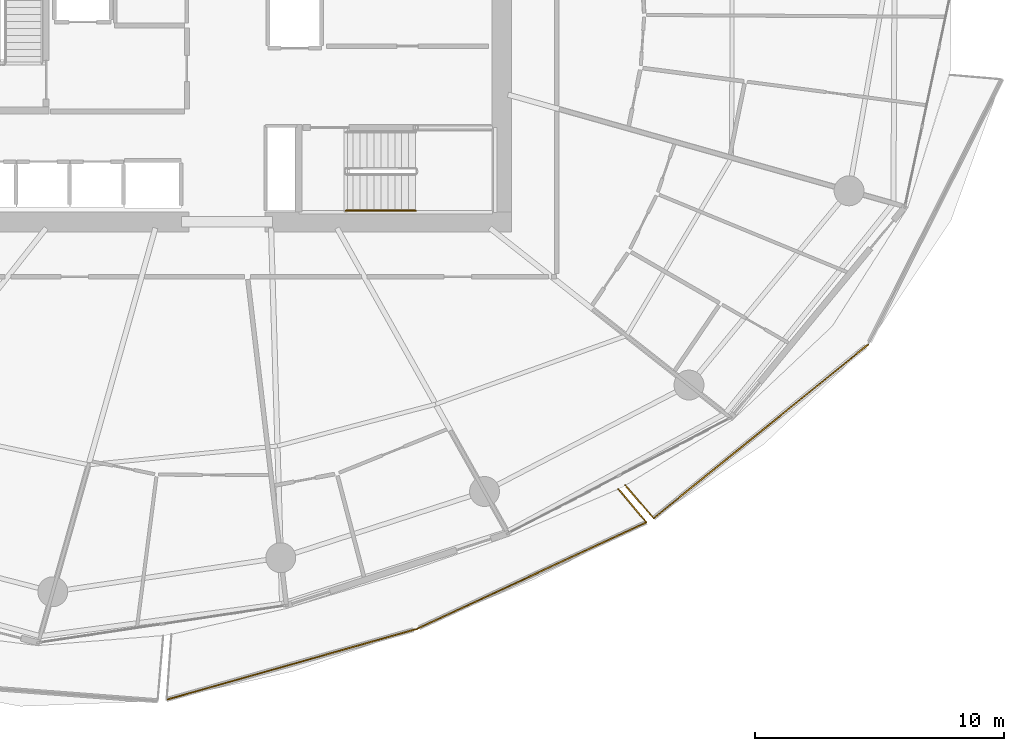
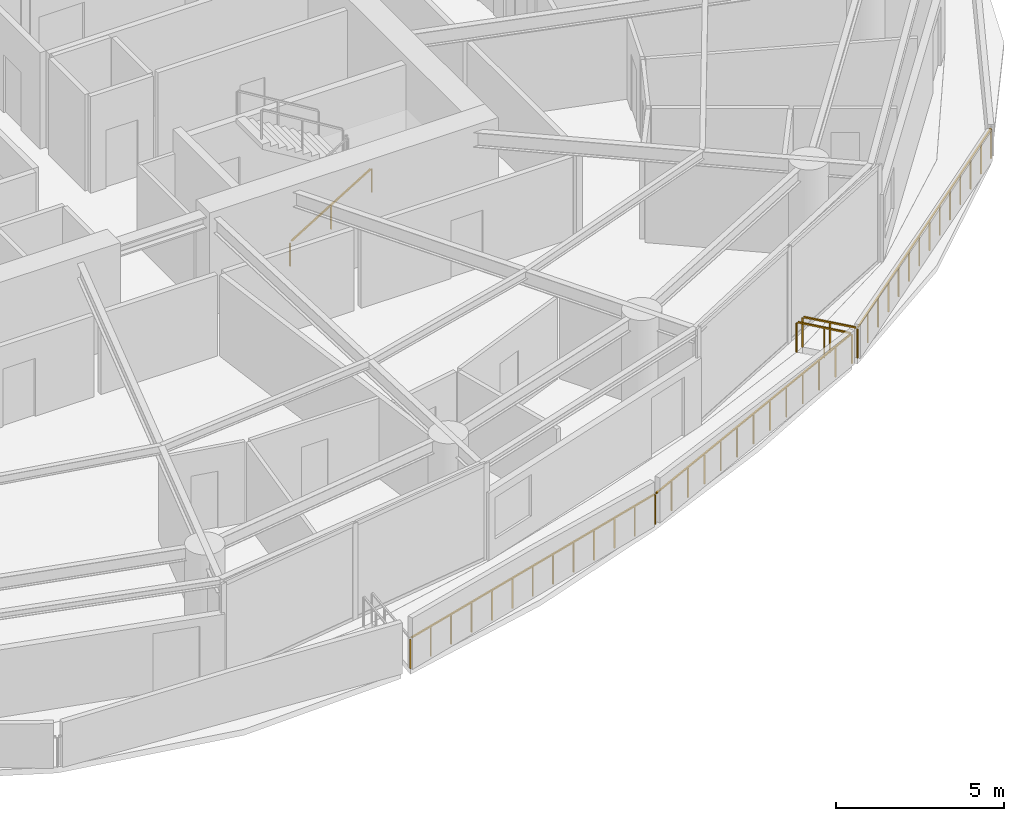
# One storey, part 19 of 23: 6 railings.
"""IFC4 building model written with IfcOpenShell, lengths in metres."""

from ifc_helpers import new_model, si_unit, direction, frame, origin, origin_2d, place, context, subcontext, project, spatial, rectangle, extrude, material, type_object, element, save


model = new_model("IFC4")

# Units and contexts
model_context = context("Model", 3, precision=1e-05, world=origin(), true_north=direction((0.0, 1.0)))
body_context = subcontext(model_context, "Body", "Model", "MODEL_VIEW")
ifc_project = project(units=[si_unit("LENGTHUNIT", "METRE"), si_unit("AREAUNIT", "SQUARE_METRE"), si_unit("VOLUMEUNIT", "CUBIC_METRE"), si_unit("PLANEANGLEUNIT", "RADIAN"), si_unit("MASSUNIT", "GRAM", prefix="KILO")], contexts=[model_context])

# Site, building, storey
site_placement = place(None, origin())
site = spatial("IfcSite", under=ifc_project, at=site_placement, CompositionType="ELEMENT")
building_placement = place(site_placement, origin())
building = spatial("IfcBuilding", under=site, at=building_placement, Name="Kazma Halo Residences", CompositionType="ELEMENT")
storey_placement = place(building_placement, frame((0.0, 0.0, 78.89990234375)))
storey = spatial("IfcBuildingStorey", under=building, at=storey_placement, Name="L19", CompositionType="ELEMENT", Elevation=78.89990234375)

# Railings
ifc_material_1 = material(Name="Aluminium AW-6063 T6 Brushed Cap Rail", Category="aluminium")
railing_type_1 = type_object("IfcRailingType", Name="RLG-BAL-CAP-1120", PredefinedType="BALUSTRADE", material=ifc_material_1)
railing_1_placement = place(storey_placement, frame((46.0, 14.43603515625, 0.0)))
element("IfcRailing", 1, at=railing_1_placement, inside=storey, type_object=railing_type_1, Name="L19 SSE wave balcony guard 2", PredefinedType="BALUSTRADE", context=body_context, shape_type="SweptSolid", body=[
    extrude(rectangle(XDim=0.050048828125, YDim=0.050048828125, at=origin_2d()), frame((0.041015625, 0.011474609375, 1.09521484375), z_axis=(0.962328182125, 0.271890547625, 0.0), x_axis=(-0.271890547625, 0.962328182125, 0.0)), (0.0, 0.0, 1.0), 10.3427734375),
    extrude(rectangle(XDim=0.0400390625, YDim=0.0400390625, at=origin_2d()), origin(), (0.0, 0.0, 1.0), 1.05810546875),
    extrude(rectangle(XDim=0.0400390625, YDim=0.0400390625, at=origin_2d()), frame((0.836181640625, 0.236328125, 0.0)), (0.0, 0.0, 1.0), 1.05810546875),
    extrude(rectangle(XDim=0.0400390625, YDim=0.0400390625, at=origin_2d()), frame((1.67236328125, 0.47265625, 0.0)), (0.0, 0.0, 1.0), 1.05810546875),
    extrude(rectangle(XDim=0.0400390625, YDim=0.0400390625, at=origin_2d()), frame((2.5087890625, 0.708740234375, 0.0)), (0.0, 0.0, 1.0), 1.05810546875),
    extrude(rectangle(XDim=0.0400390625, YDim=0.0400390625, at=origin_2d()), frame((3.344970703125, 0.945068359375, 0.0)), (0.0, 0.0, 1.0), 1.05810546875),
    extrude(rectangle(XDim=0.0400390625, YDim=0.0400390625, at=origin_2d()), frame((4.18115234375, 1.181396484375, 0.0)), (0.0, 0.0, 1.0), 1.05810546875),
    extrude(rectangle(XDim=0.0400390625, YDim=0.0400390625, at=origin_2d()), frame((5.017578125, 1.41748046875, 0.0)), (0.0, 0.0, 1.0), 1.05810546875),
    extrude(rectangle(XDim=0.0400390625, YDim=0.0400390625, at=origin_2d()), frame((5.853759765625, 1.65380859375, 0.0)), (0.0, 0.0, 1.0), 1.05810546875),
    extrude(rectangle(XDim=0.0400390625, YDim=0.0400390625, at=origin_2d()), frame((6.68994140625, 1.89013671875, 0.0)), (0.0, 0.0, 1.0), 1.05810546875),
    extrude(rectangle(XDim=0.0400390625, YDim=0.0400390625, at=origin_2d()), frame((7.526123046875, 2.12646484375, 0.0)), (0.0, 0.0, 1.0), 1.05810546875),
    extrude(rectangle(XDim=0.0400390625, YDim=0.0400390625, at=origin_2d()), frame((8.3623046875, 2.36279296875, 0.0)), (0.0, 0.0, 1.0), 1.05810546875),
    extrude(rectangle(XDim=0.0400390625, YDim=0.0400390625, at=origin_2d()), frame((9.19873046875, 2.598876953125, 0.0)), (0.0, 0.0, 1.0), 1.05810546875),
    extrude(rectangle(XDim=0.0400390625, YDim=0.0400390625, at=origin_2d()), frame((10.034912109375, 2.835205078125, 0.0)), (0.0, 0.0, 1.0), 1.05810546875),
])
railing_2_placement = place(storey_placement, frame((56.034912109375, 17.271240234375, 0.0)))
element("IfcRailing", 2, at=railing_2_placement, inside=storey, type_object=railing_type_1, Name="L19 SSE wave balcony guard 3", PredefinedType="BALUSTRADE", context=body_context, shape_type="SweptSolid", body=[
    extrude(rectangle(XDim=0.050048828125, YDim=0.050048828125, at=origin_2d()), frame((0.03857421875, 0.017822265625, 1.09521484375), z_axis=(0.907061401256, 0.420998354334, 0.0), x_axis=(-0.420998354334, 0.907061401256, 0.0)), (0.0, 0.0, 1.0), 10.076171875),
    extrude(rectangle(XDim=0.0400390625, YDim=0.0400390625, at=origin_2d()), origin(), (0.0, 0.0, 1.0), 1.05810546875),
    extrude(rectangle(XDim=0.0400390625, YDim=0.0400390625, at=origin_2d()), frame((0.76806640625, 0.3564453125, 0.0)), (0.0, 0.0, 1.0), 1.05810546875),
    extrude(rectangle(XDim=0.0400390625, YDim=0.0400390625, at=origin_2d()), frame((1.5361328125, 0.712890625, 0.0)), (0.0, 0.0, 1.0), 1.05810546875),
    extrude(rectangle(XDim=0.0400390625, YDim=0.0400390625, at=origin_2d()), frame((2.30419921875, 1.0693359375, 0.0)), (0.0, 0.0, 1.0), 1.05810546875),
    extrude(rectangle(XDim=0.0400390625, YDim=0.0400390625, at=origin_2d()), frame((3.072265625, 1.426025390625, 0.0)), (0.0, 0.0, 1.0), 1.05810546875),
    extrude(rectangle(XDim=0.0400390625, YDim=0.0400390625, at=origin_2d()), frame((3.84033203125, 1.782470703125, 0.0)), (0.0, 0.0, 1.0), 1.05810546875),
    extrude(rectangle(XDim=0.0400390625, YDim=0.0400390625, at=origin_2d()), frame((4.6083984375, 2.138916015625, 0.0)), (0.0, 0.0, 1.0), 1.05810546875),
    extrude(rectangle(XDim=0.0400390625, YDim=0.0400390625, at=origin_2d()), frame((5.37646484375, 2.495361328125, 0.0)), (0.0, 0.0, 1.0), 1.05810546875),
    extrude(rectangle(XDim=0.0400390625, YDim=0.0400390625, at=origin_2d()), frame((6.14453125, 2.851806640625, 0.0)), (0.0, 0.0, 1.0), 1.05810546875),
    extrude(rectangle(XDim=0.0400390625, YDim=0.0400390625, at=origin_2d()), frame((6.91259765625, 3.20849609375, 0.0)), (0.0, 0.0, 1.0), 1.05810546875),
    extrude(rectangle(XDim=0.0400390625, YDim=0.0400390625, at=origin_2d()), frame((7.6806640625, 3.56494140625, 0.0)), (0.0, 0.0, 1.0), 1.05810546875),
    extrude(rectangle(XDim=0.0400390625, YDim=0.0400390625, at=origin_2d()), frame((8.44873046875, 3.92138671875, 0.0)), (0.0, 0.0, 1.0), 1.05810546875),
    extrude(rectangle(XDim=0.0400390625, YDim=0.0400390625, at=origin_2d()), frame((9.216796875, 4.27783203125, 0.0)), (0.0, 0.0, 1.0), 1.05810546875),
])
railing_3_placement = place(storey_placement, frame((65.251708984375, 21.549072265625, 0.0)))
element("IfcRailing", 3, at=railing_3_placement, inside=storey, type_object=railing_type_1, Name="L19 SSE wave balcony guard 4", PredefinedType="BALUSTRADE", context=body_context, shape_type="SweptSolid", body=[
    extrude(rectangle(XDim=0.050048828125, YDim=0.050048828125, at=origin_2d()), frame((-0.02734375, 0.032470703125, 1.09521484375), z_axis=(-0.644730393158, 0.76441004712, 0.0), x_axis=(-0.76441004712, -0.644730393158, 0.0)), (0.0, 0.0, 1.0), 1.6591796875),
    extrude(rectangle(XDim=0.0400390625, YDim=0.0400390625, at=origin_2d()), origin(), (0.0, 0.0, 1.0), 1.05810546875),
    extrude(rectangle(XDim=0.0400390625, YDim=0.0400390625, at=origin_2d()), frame((-0.562255859375, 0.66650390625, 0.0)), (0.0, 0.0, 1.0), 1.05810546875),
    extrude(rectangle(XDim=0.0400390625, YDim=0.0400390625, at=origin_2d()), frame((-1.12451171875, 1.333251953125, 0.0)), (0.0, 0.0, 1.0), 1.05810546875),
])
railing_4_placement = place(storey_placement, frame((64.40576171875, 23.027099609375, 0.0)))
element("IfcRailing", 4, at=railing_4_placement, inside=storey, type_object=railing_type_1, Name="L19 SE wave balcony guard 1", PredefinedType="BALUSTRADE", context=body_context, shape_type="SweptSolid", body=[
    extrude(rectangle(XDim=0.050048828125, YDim=0.050048828125, at=origin_2d()), frame((0.02783203125, -0.0322265625, 1.09521484375), z_axis=(0.654191086692, -0.756329307969, 0.0), x_axis=(0.756329307969, 0.654191086692, 0.0)), (0.0, 0.0, 1.0), 1.650390625),
    extrude(rectangle(XDim=0.0400390625, YDim=0.0400390625, at=origin_2d()), origin(), (0.0, 0.0, 1.0), 1.05810546875),
    extrude(rectangle(XDim=0.0400390625, YDim=0.0400390625, at=origin_2d()), frame((0.567626953125, -0.65625, 0.0)), (0.0, 0.0, 1.0), 1.05810546875),
    extrude(rectangle(XDim=0.0400390625, YDim=0.0400390625, at=origin_2d()), frame((1.13525390625, -1.3125, 0.0)), (0.0, 0.0, 1.0), 1.05810546875),
])
railing_5_placement = place(storey_placement, frame((65.541015625, 21.714599609375, 0.0)))
element("IfcRailing", 5, at=railing_5_placement, inside=storey, type_object=railing_type_1, Name="L19 SE wave balcony guard 2", PredefinedType="BALUSTRADE", context=body_context, shape_type="SweptSolid", body=[
    extrude(rectangle(XDim=0.050048828125, YDim=0.050048828125, at=origin_2d()), frame((0.032958984375, 0.02685546875, 1.09521484375), z_axis=(0.777253602641, 0.629187442009, 0.0), x_axis=(-0.629187442009, 0.777253602641, 0.0)), (0.0, 0.0, 1.0), 10.983642578125),
    extrude(rectangle(XDim=0.0400390625, YDim=0.0400390625, at=origin_2d()), origin(), (0.0, 0.0, 1.0), 1.05810546875),
    extrude(rectangle(XDim=0.0400390625, YDim=0.0400390625, at=origin_2d()), frame((0.661865234375, 0.53564453125, 0.0)), (0.0, 0.0, 1.0), 1.05810546875),
    extrude(rectangle(XDim=0.0400390625, YDim=0.0400390625, at=origin_2d()), frame((1.323486328125, 1.071533203125, 0.0)), (0.0, 0.0, 1.0), 1.05810546875),
    extrude(rectangle(XDim=0.0400390625, YDim=0.0400390625, at=origin_2d()), frame((1.9853515625, 1.607177734375, 0.0)), (0.0, 0.0, 1.0), 1.05810546875),
    extrude(rectangle(XDim=0.0400390625, YDim=0.0400390625, at=origin_2d()), frame((2.647216796875, 2.142822265625, 0.0)), (0.0, 0.0, 1.0), 1.05810546875),
    extrude(rectangle(XDim=0.0400390625, YDim=0.0400390625, at=origin_2d()), frame((3.308837890625, 2.6787109375, 0.0)), (0.0, 0.0, 1.0), 1.05810546875),
    extrude(rectangle(XDim=0.0400390625, YDim=0.0400390625, at=origin_2d()), frame((3.970703125, 3.21435546875, 0.0)), (0.0, 0.0, 1.0), 1.05810546875),
    extrude(rectangle(XDim=0.0400390625, YDim=0.0400390625, at=origin_2d()), frame((4.632568359375, 3.75, 0.0)), (0.0, 0.0, 1.0), 1.05810546875),
    extrude(rectangle(XDim=0.0400390625, YDim=0.0400390625, at=origin_2d()), frame((5.29443359375, 4.28564453125, 0.0)), (0.0, 0.0, 1.0), 1.05810546875),
    extrude(rectangle(XDim=0.0400390625, YDim=0.0400390625, at=origin_2d()), frame((5.9560546875, 4.821533203125, 0.0)), (0.0, 0.0, 1.0), 1.05810546875),
    extrude(rectangle(XDim=0.0400390625, YDim=0.0400390625, at=origin_2d()), frame((6.617919921875, 5.357177734375, 0.0)), (0.0, 0.0, 1.0), 1.05810546875),
    extrude(rectangle(XDim=0.0400390625, YDim=0.0400390625, at=origin_2d()), frame((7.27978515625, 5.892822265625, 0.0)), (0.0, 0.0, 1.0), 1.05810546875),
    extrude(rectangle(XDim=0.0400390625, YDim=0.0400390625, at=origin_2d()), frame((7.94140625, 6.4287109375, 0.0)), (0.0, 0.0, 1.0), 1.05810546875),
    extrude(rectangle(XDim=0.0400390625, YDim=0.0400390625, at=origin_2d()), frame((8.603271484375, 6.96435546875, 0.0)), (0.0, 0.0, 1.0), 1.05810546875),
])
ifc_material_2 = material(Name="Brushed Stainless Steel", Category="steel")
railing_type_2 = type_object("IfcRailingType", Name="RLG-STAIR-HND-900", PredefinedType="HANDRAIL", material=ifc_material_2)
railing_6_placement = place(storey_placement, frame((53.199951171875, 34.050048828125, 0.170654296875)))
element("IfcRailing", 6, at=railing_6_placement, inside=storey, type_object=railing_type_2, Name="L19 ST-03 stair handrail 1", PredefinedType="HANDRAIL", context=body_context, shape_type="SweptSolid", body=[
    extrude(rectangle(XDim=0.050048828125, YDim=0.050048828125, at=origin_2d()), frame((0.036376953125, 0.0, 0.89697265625), z_axis=(0.854202870247, 0.0, 0.519939858505), x_axis=(0.0, 1.0, 0.0)), (0.0, 0.0, 1.0), 3.19287109375),
    extrude(rectangle(XDim=0.0400390625, YDim=0.0400390625, at=origin_2d()), origin(), (0.0, 0.0, 1.0), 0.837890625),
    extrude(rectangle(XDim=0.0400390625, YDim=0.0400390625, at=origin_2d()), frame((1.39990234375, 0.0, 0.85205078125)), (0.0, 0.0, 1.0), 0.837890625),
    extrude(rectangle(XDim=0.0400390625, YDim=0.0400390625, at=origin_2d()), frame((2.800048828125, 0.0, 1.704345703125)), (0.0, 0.0, 1.0), 0.837890625),
])

save(model, "model.ifc")
